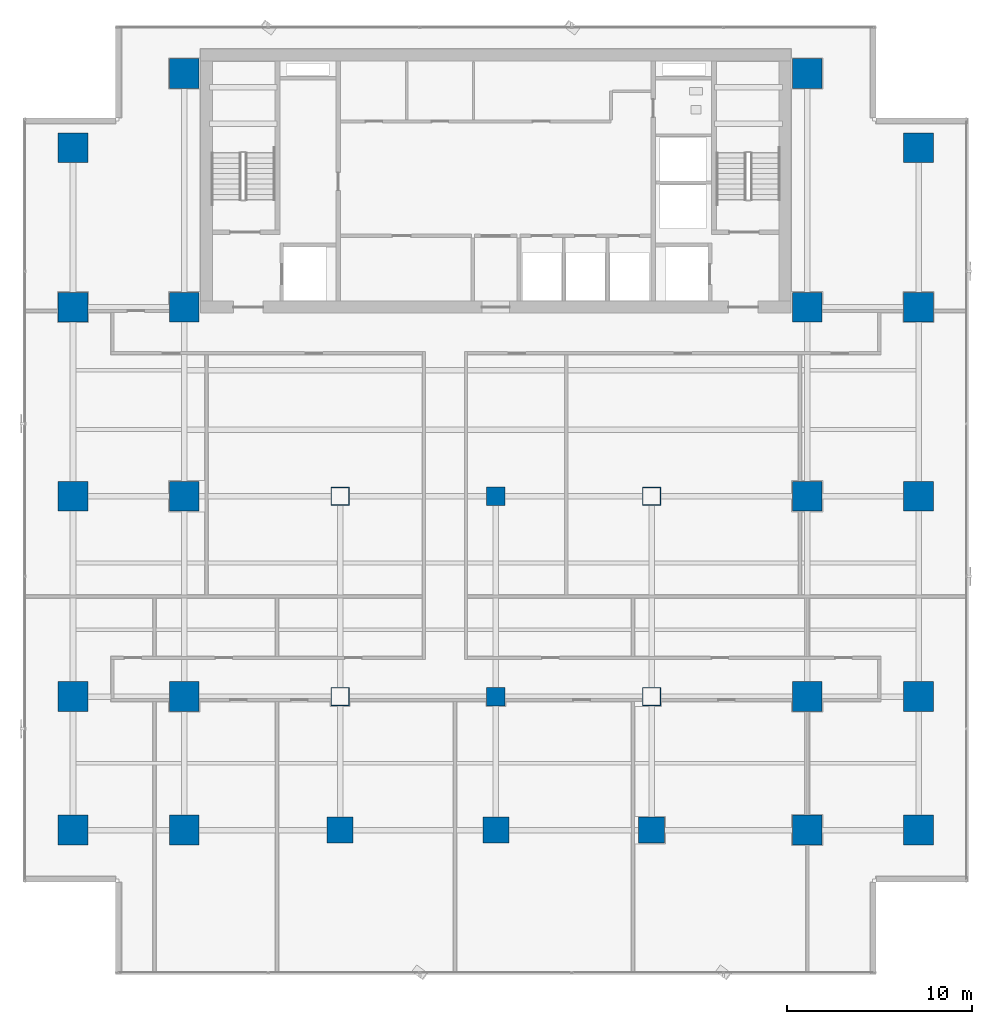
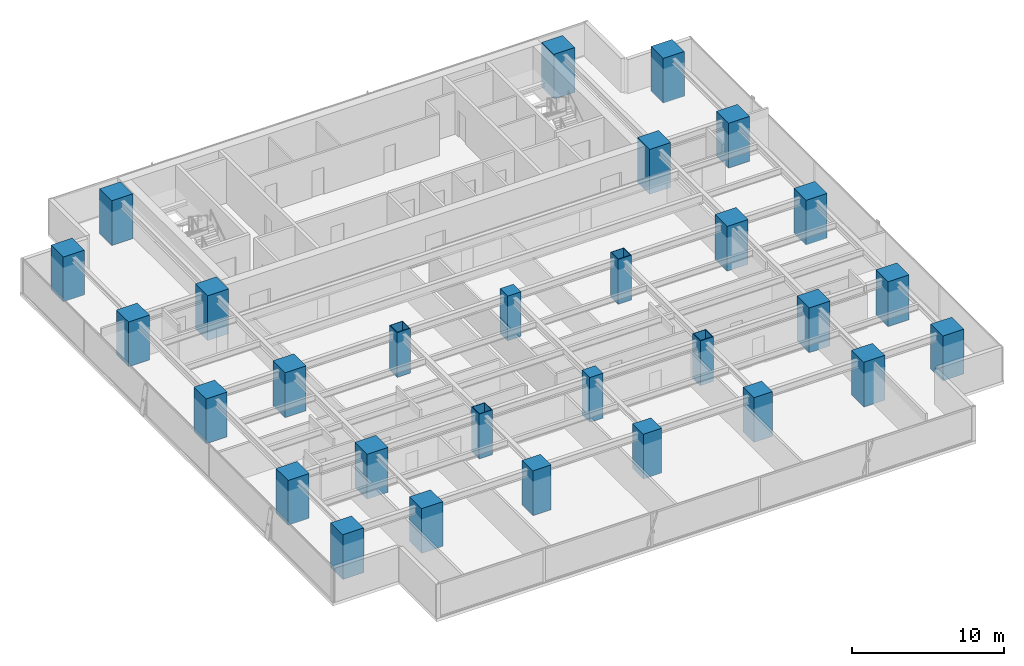
# One storey, part 1 of 37: 29 columns.
"""IFC4 building model written with IfcOpenShell, lengths in metres."""

from ifc_helpers import new_model, si_unit, direction, frame, origin, origin_2d, place, context, subcontext, project, spatial, rectangle, hollow_rectangle, extrude, source, transform, mapped, material, material_profile, profile_set, type_object, element, save


model = new_model("IFC4")

# Units and contexts
model_context = context("Model", 3, precision=1e-05, world=origin(), true_north=direction((0.0, 1.0)))
body_context = subcontext(model_context, "Body", "Model", "MODEL_VIEW")
ifc_project = project(units=[si_unit("LENGTHUNIT", "METRE"), si_unit("AREAUNIT", "SQUARE_METRE"), si_unit("VOLUMEUNIT", "CUBIC_METRE"), si_unit("PLANEANGLEUNIT", "RADIAN"), si_unit("MASSUNIT", "GRAM", prefix="KILO")], contexts=[model_context])

# Site, building, storey
site_placement = place(None, origin())
site = spatial("IfcSite", under=ifc_project, at=site_placement, CompositionType="ELEMENT")
building_placement = place(site_placement, origin())
building = spatial("IfcBuilding", under=site, at=building_placement, Name="Sumidabori Civic Tower", CompositionType="ELEMENT")
storey_placement = place(building_placement, frame((0.0, 0.0, 110.0)))
storey = spatial("IfcBuildingStorey", under=building, at=storey_placement, Name="L28", CompositionType="ELEMENT", Elevation=110.0)

# Columns
ifc_material_1 = material(Name="Concrete C60/75", Category="concrete")
ifc_material_profile_1 = material_profile(ifc_material_1, rectangle(XDim=1.60009765625, YDim=1.60009765625, at=origin_2d()), Name="RC 1600x1600")
ifc_profile_set_1 = profile_set([ifc_material_profile_1], Name="Concrete C60/75")
column_type_1 = type_object("IfcColumnType", Name="CL-MEGA-1600", PredefinedType="COLUMN", material=ifc_profile_set_1)
shared_shape_1 = source(origin(), body_context, "Body", "SweptSolid", [
    extrude(rectangle(XDim=1.60009765625, YDim=1.60009765625, at=origin_2d()), origin(), (0.0, 0.0, 1.0), 3.60009765625),
])
for number, where, z_axis, x_axis, name in (
    (1, (-16.800048828125, -18.0, 0.0), (0.0, 0.0, 1.0), (1.0, 0.0, 0.0), "Column MC-W16-Y18S L28"),
    (2, (-16.800048828125, -10.800048828125, 0.0), (0.0, 0.0, 1.0), (1.0, 0.0, 0.0), "Column MC-W16-Y11S L28"),
    (3, (-16.800048828125, 0.0, 0.0), (0.0, 0.0, 1.0), (1.0, 0.0, 0.0), "Column MC-W16-Y00 L28"),
    (4, (-16.800048828125, 10.199951171875, 0.0), (0.0, 0.0, 1.0), (1.0, 0.0, 0.0), "Column MC-W16-Y10N L28"),
    (5, (-16.800048828125, 22.800048828125, 0.0), (0.0, 0.0, 1.0), (1.0, 0.0, 0.0), "Column MC-W16-Y23N L28"),
    (6, (16.800048828125, -18.0, 0.0), (0.0, 0.0, 1.0), (1.0, 0.0, 0.0), "Column MC-E16-Y18S L28"),
    (7, (16.800048828125, -10.800048828125, 0.0), (0.0, 0.0, 1.0), (1.0, 0.0, 0.0), "Column MC-E16-Y11S L28"),
    (8, (16.800048828125, 0.0, 0.0), (0.0, 0.0, 1.0), (1.0, 0.0, 0.0), "Column MC-E16-Y00 L28"),
    (9, (16.800048828125, 10.199951171875, 0.0), (0.0, 0.0, 1.0), (1.0, 0.0, 0.0), "Column MC-E16-Y10N L28"),
    (10, (16.800048828125, 22.800048828125, 0.0), (0.0, 0.0, 1.0), (1.0, 0.0, 0.0), "Column MC-E16-Y23N L28"),
    (11, (-22.800048828125, -18.0, 0.0), (0.0, 0.0, 1.0), (1.0, 0.0, 0.0), "Column MC-W23-Y18S L28"),
    (12, (-22.800048828125, -10.800048828125, 0.0), (0.0, 0.0, 1.0), (1.0, 0.0, 0.0), "Column MC-W23-Y11S L28"),
    (13, (-22.800048828125, 0.0, 0.0), (0.0, 0.0, 1.0), (1.0, 0.0, 0.0), "Column MC-W23-Y00 L28"),
    (14, (-22.800048828125, 10.199951171875, 0.0), (0.0, 0.0, 1.0), (1.0, 0.0, 0.0), "Column MC-W23-Y10N L28"),
    (15, (-22.800048828125, 18.800048828125, 0.0), (0.0, 0.0, 1.0), (1.0, 0.0, 0.0), "Column MC-W23-Y19N L28"),
    (16, (22.800048828125, -18.0, 0.0), (0.0, 0.0, 1.0), (1.0, 0.0, 0.0), "Column MC-E23-Y18S L28"),
    (17, (22.800048828125, -10.800048828125, 0.0), (0.0, 0.0, 1.0), (1.0, 0.0, 0.0), "Column MC-E23-Y11S L28"),
    (18, (22.800048828125, 0.0, 0.0), (0.0, 0.0, 1.0), (1.0, 0.0, 0.0), "Column MC-E23-Y00 L28"),
    (19, (22.800048828125, 10.199951171875, 0.0), (0.0, 0.0, 1.0), (1.0, 0.0, 0.0), "Column MC-E23-Y10N L28"),
    (20, (22.800048828125, 18.800048828125, 0.0), (0.0, 0.0, 1.0), (1.0, 0.0, 0.0), "Column MC-E23-Y19N L28"),
):
    element("IfcColumn", number, at=place(storey_placement, frame(where, z_axis=z_axis, x_axis=x_axis)), inside=storey, type_object=column_type_1, Name=name, PredefinedType="COLUMN", context=body_context, shape_type="MappedRepresentation", body=[
        mapped(shared_shape_1, transform((0.0, 0.0, 0.0), x_axis=(1.0, 0.0, 0.0), y_axis=(0.0, 1.0, 0.0), z_axis=(0.0, 0.0, 1.0), scale=1.0)),
    ])
ifc_material_2 = material(Name="Steel SM570", Category="steel")
ifc_material_profile_2 = material_profile(ifc_material_2, hollow_rectangle(XDim=1.0, YDim=1.0, WallThickness=0.044921875, at=origin_2d()), Name="SHS 1000x1000x45")
ifc_profile_set_2 = profile_set([ifc_material_profile_2], Name="Steel SM570")
column_type_2 = type_object("IfcColumnType", Name="CL-PORTAL-SHS1000", PredefinedType="COLUMN", material=ifc_profile_set_2)
shared_shape_2 = source(origin(), body_context, "Body", "SweptSolid", [
    extrude(hollow_rectangle(XDim=1.0, YDim=1.0, WallThickness=0.044921875, at=origin_2d()), origin(), (0.0, 0.0, 1.0), 3.60009765625),
])
for number, where, z_axis, x_axis, name in (
    (21, (-8.39990234375, 0.0, 0.0), (0.0, 0.0, 1.0), (1.0, 0.0, 0.0), "Column MC-W08-Y00 L28"),
    (22, (-8.39990234375, -10.800048828125, 0.0), (0.0, 0.0, 1.0), (1.0, 0.0, 0.0), "Column MC-W08-Y11S L28"),
    (23, (8.39990234375, 0.0, 0.0), (0.0, 0.0, 1.0), (1.0, 0.0, 0.0), "Column MC-E08-Y00 L28"),
    (24, (8.39990234375, -10.800048828125, 0.0), (0.0, 0.0, 1.0), (1.0, 0.0, 0.0), "Column MC-E08-Y11S L28"),
):
    element("IfcColumn", number, at=place(storey_placement, frame(where, z_axis=z_axis, x_axis=x_axis)), inside=storey, type_object=column_type_2, Name=name, PredefinedType="COLUMN", context=body_context, shape_type="MappedRepresentation", body=[
        mapped(shared_shape_2, transform((0.0, 0.0, 0.0), x_axis=(1.0, 0.0, 0.0), y_axis=(0.0, 1.0, 0.0), z_axis=(0.0, 0.0, 1.0), scale=1.0)),
    ])
ifc_material_profile_3 = material_profile(ifc_material_1, rectangle(XDim=1.39990234375, YDim=1.39990234375, at=origin_2d()), Name="RC 1400x1400")
ifc_profile_set_3 = profile_set([ifc_material_profile_3], Name="Concrete C60/75")
column_type_3 = type_object("IfcColumnType", Name="CL-MEGA-1400", PredefinedType="COLUMN", material=ifc_profile_set_3)
shared_shape_3 = source(origin(), body_context, "Body", "SweptSolid", [
    extrude(rectangle(XDim=1.39990234375, YDim=1.39990234375, at=origin_2d()), origin(), (0.0, 0.0, 1.0), 3.60009765625),
])
for number, where, z_axis, x_axis, name in (
    (25, (-8.39990234375, -18.0, 0.0), (0.0, 0.0, 1.0), (1.0, 0.0, 0.0), "Column MC-W08-Y18S L28"),
    (26, (8.39990234375, -18.0, 0.0), (0.0, 0.0, 1.0), (1.0, 0.0, 0.0), "Column MC-E08-Y18S L28"),
    (27, (0.0, -18.0, 0.0), (0.0, 0.0, 1.0), (1.0, 0.0, 0.0), "Column MC-C00-Y18S L28"),
):
    element("IfcColumn", number, at=place(storey_placement, frame(where, z_axis=z_axis, x_axis=x_axis)), inside=storey, type_object=column_type_3, Name=name, PredefinedType="COLUMN", context=body_context, shape_type="MappedRepresentation", body=[
        mapped(shared_shape_3, transform((0.0, 0.0, 0.0), x_axis=(1.0, 0.0, 0.0), y_axis=(0.0, 1.0, 0.0), z_axis=(0.0, 0.0, 1.0), scale=1.0)),
    ])
ifc_material_3 = material(Name="Concrete C50/60", Category="concrete")
ifc_material_profile_4 = material_profile(ifc_material_3, rectangle(XDim=1.0, YDim=1.0, at=origin_2d()), Name="RC 1000x1000")
ifc_profile_set_4 = profile_set([ifc_material_profile_4], Name="Concrete C50/60")
column_type_4 = type_object("IfcColumnType", Name="CL-INT-1000", PredefinedType="COLUMN", material=ifc_profile_set_4)
shared_shape_4 = source(origin(), body_context, "Body", "SweptSolid", [
    extrude(rectangle(XDim=1.0, YDim=1.0, at=origin_2d()), origin(), (0.0, 0.0, 1.0), 3.60009765625),
])
for number, where, z_axis, x_axis, name in (
    (28, (0.0, -10.800048828125, 0.0), (0.0, 0.0, 1.0), (1.0, 0.0, 0.0), "Column MC-C00-Y11S L28"),
    (29, (0.0, 0.0, 0.0), (0.0, 0.0, 1.0), (1.0, 0.0, 0.0), "Column MC-C00-Y00 L28"),
):
    element("IfcColumn", number, at=place(storey_placement, frame(where, z_axis=z_axis, x_axis=x_axis)), inside=storey, type_object=column_type_4, Name=name, PredefinedType="COLUMN", context=body_context, shape_type="MappedRepresentation", body=[
        mapped(shared_shape_4, transform((0.0, 0.0, 0.0), x_axis=(1.0, 0.0, 0.0), y_axis=(0.0, 1.0, 0.0), z_axis=(0.0, 0.0, 1.0), scale=1.0)),
    ])

save(model, "model.ifc")
